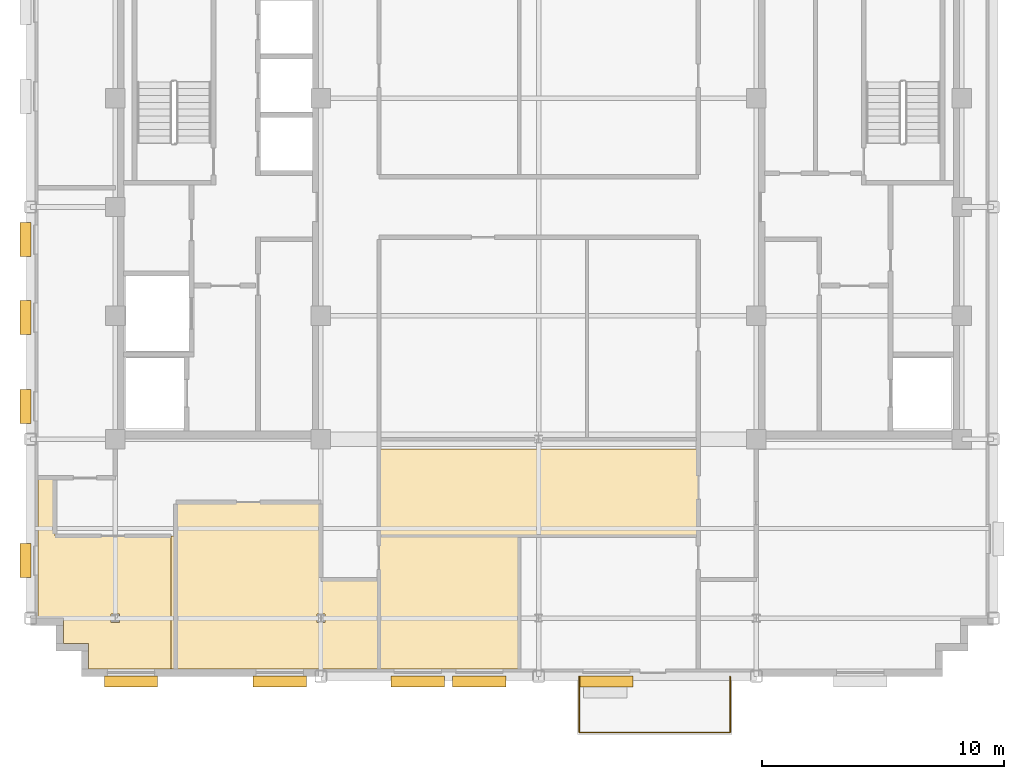
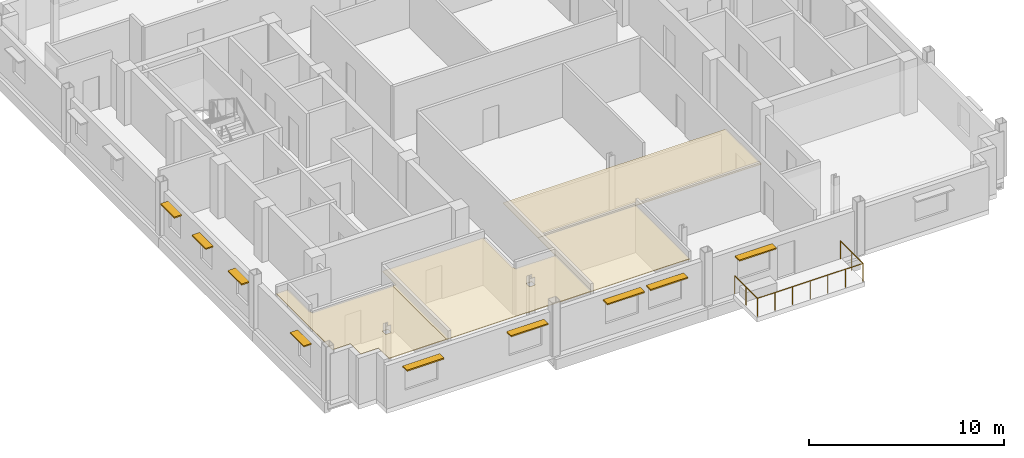
# One storey, part 10 of 13: 9 shading devices, 4 coverings, 1 railing.
"""IFC4 building model written with IfcOpenShell, lengths in metres."""

from ifc_helpers import new_model, si_unit, direction, frame, origin, origin_2d, place, context, subcontext, project, spatial, polyline, rectangle, circle, outline, extrude, source, transform, mapped, material, layer, layer_set, type_object, type_shapes, element, save


model = new_model("IFC4")

# Units and contexts
model_context = context("Model", 3, precision=1e-05, world=origin(), true_north=direction((0.0, 1.0)))
body_context = subcontext(model_context, "Body", "Model", "MODEL_VIEW")
ifc_project = project(units=[si_unit("LENGTHUNIT", "METRE"), si_unit("AREAUNIT", "SQUARE_METRE"), si_unit("VOLUMEUNIT", "CUBIC_METRE"), si_unit("PLANEANGLEUNIT", "RADIAN"), si_unit("MASSUNIT", "GRAM", prefix="KILO")], contexts=[model_context])

# Site, building, storey
site_placement = place(None, origin())
site = spatial("IfcSite", under=ifc_project, at=site_placement, CompositionType="ELEMENT")
building_placement = place(site_placement, origin())
building = spatial("IfcBuilding", under=site, at=building_placement, Name="Nuvemarco Arch Tower", CompositionType="ELEMENT")
storey_placement = place(building_placement, frame((0.0, 0.0, 276.199951171875)))
storey = spatial("IfcBuildingStorey", under=building, at=storey_placement, Name="L73", CompositionType="ELEMENT", Elevation=276.199951171875)

# Coverings
ifc_material_1 = material(Name="Mineral acoustic ceiling tile")
ifc_layer = layer(ifc_material_1, 0.0400390625, Name="COV-ACOUSTIC-CLG")
ifc_layer_set = layer_set([ifc_layer], Name="Mineral acoustic ceiling tile")
covering_type = type_object("IfcCoveringType", Name="COV-ACOUSTIC-CLG", PredefinedType="CEILING", material=ifc_layer_set)
covering_1_placement = place(storey_placement, frame((0.0, 0.0, 2.85009765625)))
element("IfcCovering", 1, at=covering_1_placement, inside=storey, type_object=covering_type, Name="L73 suspended acoustic ceiling 4", PredefinedType="CEILING", context=body_context, shape_type="SweptSolid", body=[
    extrude(outline(polyline([(6.60009765625, -13.60009765625), (-6.60009765625, -13.60009765625), (-6.60009765625, -12.199951171875), (-6.60009765625, -10.0), (6.60009765625, -10.0), (6.60009765625, -13.60009765625)])), origin(), (0.0, 0.0, 1.0), 0.0400390625),
])
covering_2_placement = place(storey_placement, frame((0.0, 0.0, 2.85009765625)))
element("IfcCovering", 2, at=covering_2_placement, inside=storey, type_object=covering_type, Name="L73 suspended acoustic ceiling 5", PredefinedType="CEILING", context=body_context, shape_type="SweptSolid", body=[
    extrude(outline(polyline([(-9.0, -12.199951171875), (-9.0, -15.39990234375), (-6.60009765625, -15.39990234375), (-6.60009765625, -19.10009765625), (-15.199951171875, -19.10009765625), (-15.199951171875, -13.60009765625), (-15.0, -13.60009765625), (-15.0, -12.199951171875), (-9.0, -12.199951171875)]), holes=[polyline([(-8.830078125, -16.830078125), (-9.169921875, -16.830078125), (-9.169921875, -17.169921875), (-8.830078125, -17.169921875), (-8.830078125, -16.830078125)])]), origin(), (0.0, 0.0, 1.0), 0.0400390625),
])
covering_3_placement = place(storey_placement, frame((0.0, 0.0, 2.85009765625)))
element("IfcCovering", 3, at=covering_3_placement, inside=storey, type_object=covering_type, Name="L73 suspended acoustic ceiling 8", PredefinedType="CEILING", context=body_context, shape_type="SweptSolid", body=[
    extrude(outline(polyline([(-0.800048828125, -13.60009765625), (-0.800048828125, -19.10009765625), (-6.60009765625, -19.10009765625), (-6.60009765625, -15.39990234375), (-6.60009765625, -13.60009765625), (-0.800048828125, -13.60009765625)])), origin(), (0.0, 0.0, 1.0), 0.0400390625),
])
covering_4_placement = place(storey_placement, frame((0.0, 0.0, 2.85009765625)))
element("IfcCovering", 4, at=covering_4_placement, inside=storey, type_object=covering_type, Name="L73 suspended acoustic ceiling 9", PredefinedType="CEILING", context=body_context, shape_type="SweptSolid", body=[
    extrude(outline(polyline([(-20.699951171875, -17.0), (-20.699951171875, -11.199951171875), (-20.0, -11.199951171875), (-20.0, -13.60009765625), (-15.199951171875, -13.60009765625), (-15.199951171875, -19.10009765625), (-18.60009765625, -19.10009765625), (-18.60009765625, -18.050048828125), (-19.64990234375, -18.050048828125), (-19.64990234375, -17.0), (-20.699951171875, -17.0)]), holes=[polyline([(-17.330078125, -16.830078125), (-17.669921875, -16.830078125), (-17.669921875, -17.169921875), (-17.330078125, -17.169921875), (-17.330078125, -16.830078125)])]), origin(), (0.0, 0.0, 1.0), 0.0400390625),
])

# Railing
ifc_material_2 = material(Name="Dark anodised balustrade steel S355", Category="steel")
railing_type = type_object("IfcRailingType", Name="RL-TERR-GUARD", PredefinedType="BALUSTRADE", material=ifc_material_2)
railing_placement = place(storey_placement, frame((1.679931640625, -19.39990234375, 0.0)))
element("IfcRailing", 5, at=railing_placement, inside=storey, type_object=railing_type, Name="L73 spiral terrace perimeter balustrade guard", PredefinedType="BALUSTRADE", context=body_context, shape_type="SweptSolid", body=[
    extrude(circle(Radius=0.02392578125, at=origin_2d()), frame((0.0, 0.0, 1.1259765625), z_axis=(0.0, -1.0, 0.0), x_axis=(1.0, 0.0, 0.0)), (0.0, 0.0, 1.0), 2.320068359375),
    extrude(circle(Radius=0.02392578125, at=origin_2d()), frame((0.0, -2.320068359375, 1.1259765625), z_axis=(1.0, 0.0, 0.0), x_axis=(0.0, 1.0, 0.0)), (0.0, 0.0, 1.0), 6.239990234375),
    extrude(circle(Radius=0.02392578125, at=origin_2d()), frame((6.239990234375, -2.320068359375, 1.1259765625), z_axis=(0.0, 1.0, 0.0), x_axis=(-1.0, 0.0, 0.0)), (0.0, 0.0, 1.0), 2.320068359375),
    extrude(circle(Radius=0.02099609375, at=origin_2d()), origin(), (0.0, 0.0, 1.0), 1.101806640625),
    extrude(circle(Radius=0.02099609375, at=origin_2d()), frame((0.0, -1.16015625, 0.0)), (0.0, 0.0, 1.0), 1.101806640625),
    extrude(circle(Radius=0.02099609375, at=origin_2d()), frame((0.0, -2.320068359375, 0.0)), (0.0, 0.0, 1.0), 1.101806640625),
    extrude(circle(Radius=0.02099609375, at=origin_2d()), frame((1.0400390625, -2.320068359375, 0.0)), (0.0, 0.0, 1.0), 1.101806640625),
    extrude(circle(Radius=0.02099609375, at=origin_2d()), frame((2.080078125, -2.320068359375, 0.0)), (0.0, 0.0, 1.0), 1.101806640625),
    extrude(circle(Radius=0.02099609375, at=origin_2d()), frame((3.1201171875, -2.320068359375, 0.0)), (0.0, 0.0, 1.0), 1.101806640625),
    extrude(circle(Radius=0.02099609375, at=origin_2d()), frame((4.159912109375, -2.320068359375, 0.0)), (0.0, 0.0, 1.0), 1.101806640625),
    extrude(circle(Radius=0.02099609375, at=origin_2d()), frame((5.199951171875, -2.320068359375, 0.0)), (0.0, 0.0, 1.0), 1.101806640625),
    extrude(circle(Radius=0.02099609375, at=origin_2d()), frame((6.239990234375, -2.320068359375, 0.0)), (0.0, 0.0, 1.0), 1.101806640625),
    extrude(circle(Radius=0.02099609375, at=origin_2d()), frame((6.239990234375, -1.16015625, 0.0)), (0.0, 0.0, 1.0), 1.101806640625),
    extrude(circle(Radius=0.02099609375, at=origin_2d()), frame((6.239990234375, 0.0, 0.0)), (0.0, 0.0, 1.0), 1.101806640625),
])

# Shading devices
ifc_material_3 = material(Name="Anodised aluminium 6063-T6", Category="aluminium")
shading_device_type_1 = type_object("IfcShadingDeviceType", Name="SHD-BRISE-SOLEIL", PredefinedType="USERDEFINED", material=ifc_material_3)
shared_shape_1 = source(origin(), body_context, "Body", "SweptSolid", [
    extrude(rectangle(XDim=2.199951171875, YDim=0.449951171875, at=origin_2d()), origin(), (0.0, 0.0, 1.0), 0.080078125),
])
type_shapes(shading_device_type_1, [shared_shape_1])
for number, where, z_axis, x_axis, name in (
    (6, (-16.85009765625, -19.614990234375, 2.284912109375), (0.0, 0.0, 1.0), (1.0, 0.0, 0.0), "L73 horizontal brise-soleil sunshade"),
    (7, (-10.699951171875, -19.614990234375, 2.284912109375), (0.0, 0.0, 1.0), (1.0, 0.0, 0.0), "L73 horizontal brise-soleil sunshade"),
    (8, (-5.0, -19.614990234375, 2.284912109375), (0.0, 0.0, 1.0), (1.0, 0.0, 0.0), "L73 horizontal brise-soleil sunshade"),
    (9, (-2.449951171875, -19.614990234375, 2.284912109375), (0.0, 0.0, 1.0), (1.0, 0.0, 0.0), "L73 horizontal brise-soleil sunshade"),
    (10, (2.800048828125, -19.614990234375, 2.284912109375), (0.0, 0.0, 1.0), (1.0, 0.0, 0.0), "L73 horizontal brise-soleil sunshade"),
):
    element("IfcShadingDevice", number, at=place(storey_placement, frame(where, z_axis=z_axis, x_axis=x_axis)), inside=storey, type_object=shading_device_type_1, Name=name, ObjectType="SUNSHADE", PredefinedType="USERDEFINED", context=body_context, shape_type="MappedRepresentation", body=[
        mapped(shared_shape_1, transform((0.0, 0.0, 0.0), scale=1.0)),
    ])
shading_device_type_2 = type_object("IfcShadingDeviceType", Name="SHD-BRISE-NARROW", PredefinedType="USERDEFINED", material=ifc_material_3)
shared_shape_2 = source(origin(), body_context, "Body", "SweptSolid", [
    extrude(rectangle(XDim=1.39990234375, YDim=0.449951171875, at=origin_2d()), origin(), (0.0, 0.0, 1.0), 0.080078125),
])
type_shapes(shading_device_type_2, [shared_shape_2])
for number, where, z_axis, x_axis, name in (
    (11, (-21.215087890625, -14.61767578125, 2.284912109375), (0.0, 0.0, 1.0), (0.0, 1.0, 0.0), "L73 horizontal brise-soleil sunshade"),
    (12, (-21.215087890625, -8.2451171875, 2.284912109375), (0.0, 0.0, 1.0), (0.0, 1.0, 0.0), "L73 horizontal brise-soleil sunshade"),
    (13, (-21.215087890625, -4.572509765625, 2.284912109375), (0.0, 0.0, 1.0), (0.0, 1.0, 0.0), "L73 horizontal brise-soleil sunshade"),
    (14, (-21.215087890625, -1.35009765625, 2.284912109375), (0.0, 0.0, 1.0), (0.0, 1.0, 0.0), "L73 horizontal brise-soleil sunshade"),
):
    element("IfcShadingDevice", number, at=place(storey_placement, frame(where, z_axis=z_axis, x_axis=x_axis)), inside=storey, type_object=shading_device_type_2, Name=name, ObjectType="SUNSHADE", PredefinedType="USERDEFINED", context=body_context, shape_type="MappedRepresentation", body=[
        mapped(shared_shape_2, transform((0.0, 0.0, 0.0), scale=1.0)),
    ])

save(model, "model.ifc")
